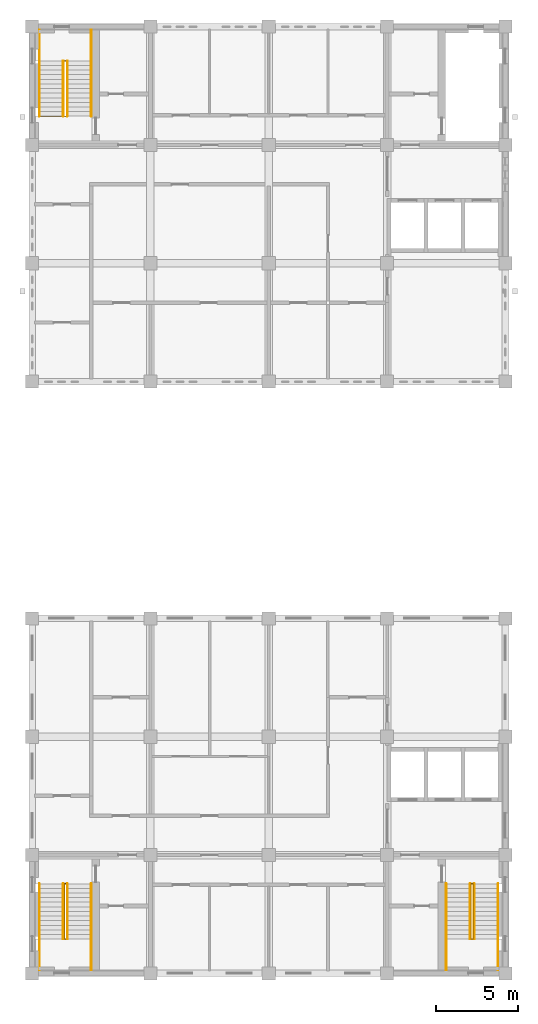
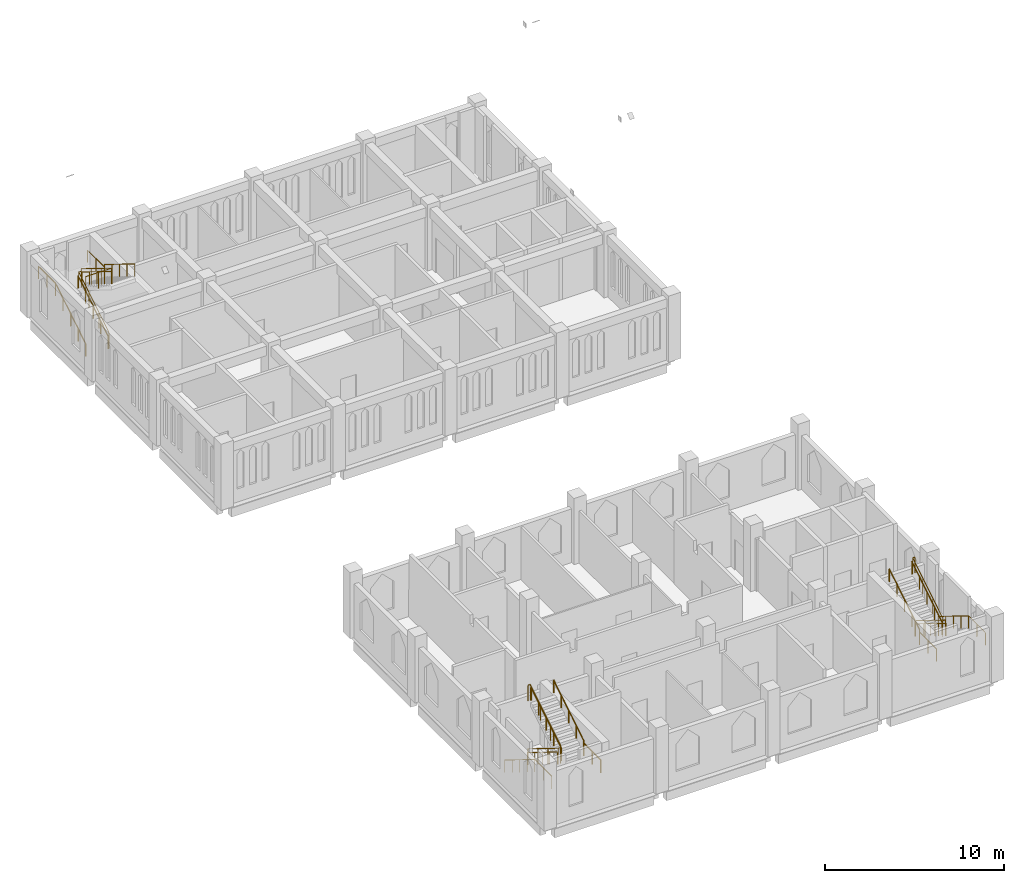
# One storey, part 13 of 13: 15 railings.
"""IFC4 building model written with IfcOpenShell, lengths in metres."""

from ifc_helpers import new_model, si_unit, direction, frame, origin, origin_2d, place, context, subcontext, project, spatial, circle, extrude, material, type_object, element, save


model = new_model("IFC4")

# Units and contexts
model_context = context("Model", 3, precision=1e-05, world=origin(), true_north=direction((0.0, 1.0)))
body_context = subcontext(model_context, "Body", "Model", "MODEL_VIEW")
ifc_project = project(units=[si_unit("LENGTHUNIT", "METRE"), si_unit("AREAUNIT", "SQUARE_METRE"), si_unit("VOLUMEUNIT", "CUBIC_METRE"), si_unit("PLANEANGLEUNIT", "RADIAN"), si_unit("MASSUNIT", "GRAM", prefix="KILO")], contexts=[model_context])

# Site, building, storey
site_placement = place(None, origin())
site = spatial("IfcSite", under=ifc_project, at=site_placement, CompositionType="ELEMENT")
building_placement = place(site_placement, origin())
building = spatial("IfcBuilding", under=site, at=building_placement, Name="Silangan Lancet Faculty of Sciences", CompositionType="ELEMENT")
storey_placement = place(building_placement, frame((0.0, 0.0, 49.800048828125)))
storey = spatial("IfcBuildingStorey", under=building, at=storey_placement, Name="L10", CompositionType="ELEMENT", Elevation=49.800048828125)

# Railings
ifc_material_1 = material(Name="Steel balustrade", Category="steel")
railing_type_1 = type_object("IfcRailingType", Name="STAIR GUARD 1100", PredefinedType="GUARDRAIL", material=ifc_material_1)
railing_1_placement = place(storey_placement, frame((1.949951171875, 52.14990234375, 0.173095703125)))
element("IfcRailing", 1, at=railing_1_placement, inside=storey, type_object=railing_type_1, Name="GUARD-NT-A-L10", PredefinedType="GUARDRAIL", context=body_context, shape_type="SweptSolid", body=[
    extrude(circle(Radius=0.02392578125, at=origin_2d()), frame((0.0, 0.0, 1.076171875), z_axis=(0.0, 0.850623216509, 0.525775754039), x_axis=(-1.0, 0.0, 0.0)), (0.0, 0.0, 1.0), 3.9501953125),
    extrude(circle(Radius=0.02392578125, at=origin_2d()), frame((0.0, 3.360107421875, 3.15283203125), z_axis=(1.0, 0.0, 0.0), x_axis=(0.0, 1.0, 0.0)), (0.0, 0.0, 1.0), 0.150146484375),
    extrude(circle(Radius=0.02392578125, at=origin_2d()), frame((0.150146484375, 3.360107421875, 3.15283203125), z_axis=(0.0, 0.0, 1.0), x_axis=(1.0, 0.0, 0.0)), (0.0, 0.0, 1.0), 0.173095703125),
    extrude(circle(Radius=0.02392578125, at=origin_2d()), frame((0.150146484375, 3.360107421875, 3.326171875), z_axis=(0.0, -0.850623216509, 0.525775754039), x_axis=(1.0, 0.0, 0.0)), (0.0, 0.0, 1.0), 3.9501953125),
    extrude(circle(Radius=0.02392578125, at=origin_2d()), frame((0.150146484375, 0.0, 5.40283203125), z_axis=(-1.0, 0.0, 0.0), x_axis=(0.0, -1.0, 0.0)), (0.0, 0.0, 1.0), 1.650146484375),
    extrude(circle(Radius=0.02099609375, at=origin_2d()), origin(), (0.0, 0.0, 1.0), 1.052001953125),
    extrude(circle(Radius=0.02099609375, at=origin_2d()), frame((0.0, 1.1201171875, 0.6923828125)), (0.0, 0.0, 1.0), 1.052001953125),
    extrude(circle(Radius=0.02099609375, at=origin_2d()), frame((0.0, 2.239990234375, 1.384521484375)), (0.0, 0.0, 1.0), 1.052001953125),
    extrude(circle(Radius=0.02099609375, at=origin_2d()), frame((0.0, 3.360107421875, 2.076904296875)), (0.0, 0.0, 1.0), 1.052001953125),
    extrude(circle(Radius=0.02099609375, at=origin_2d()), frame((0.150146484375, 3.360107421875, 2.076904296875)), (0.0, 0.0, 1.0), 1.052001953125),
    extrude(circle(Radius=0.02099609375, at=origin_2d()), frame((0.150146484375, 3.360107421875, 2.25)), (0.0, 0.0, 1.0), 1.052001953125),
    extrude(circle(Radius=0.02099609375, at=origin_2d()), frame((0.150146484375, 2.239990234375, 2.9423828125)), (0.0, 0.0, 1.0), 1.052001953125),
    extrude(circle(Radius=0.02099609375, at=origin_2d()), frame((0.150146484375, 1.1201171875, 3.634521484375)), (0.0, 0.0, 1.0), 1.052001953125),
    extrude(circle(Radius=0.02099609375, at=origin_2d()), frame((0.150146484375, 0.0, 4.326904296875)), (0.0, 0.0, 1.0), 1.052001953125),
    extrude(circle(Radius=0.02099609375, at=origin_2d()), frame((-0.6748046875, 0.0, 4.326904296875)), (0.0, 0.0, 1.0), 1.052001953125),
    extrude(circle(Radius=0.02099609375, at=origin_2d()), frame((-1.5, 0.0, 4.326904296875)), (0.0, 0.0, 1.0), 1.052001953125),
])
railing_2_placement = place(storey_placement, frame((1.949951171875, 5.449951171875, 0.173095703125)))
element("IfcRailing", 2, at=railing_2_placement, inside=storey, type_object=railing_type_1, Name="GUARD-ST-A-L10", PredefinedType="GUARDRAIL", context=body_context, shape_type="SweptSolid", body=[
    extrude(circle(Radius=0.02392578125, at=origin_2d()), frame((0.0, 0.0, 1.076171875), z_axis=(0.0, -0.850606129759, 0.525803396734), x_axis=(1.0, 0.0, 0.0)), (0.0, 0.0, 1.0), 3.949951171875),
    extrude(circle(Radius=0.02392578125, at=origin_2d()), frame((0.0, -3.35986328125, 3.15283203125), z_axis=(1.0, 0.0, 0.0), x_axis=(0.0, 1.0, 0.0)), (0.0, 0.0, 1.0), 0.150146484375),
    extrude(circle(Radius=0.02392578125, at=origin_2d()), frame((0.150146484375, -3.35986328125, 3.15283203125), z_axis=(0.0, 0.0, 1.0), x_axis=(1.0, 0.0, 0.0)), (0.0, 0.0, 1.0), 0.173095703125),
    extrude(circle(Radius=0.02392578125, at=origin_2d()), frame((0.150146484375, -3.35986328125, 3.326171875), z_axis=(0.0, 0.850606129759, 0.525803396734), x_axis=(-1.0, 0.0, 0.0)), (0.0, 0.0, 1.0), 3.949951171875),
    extrude(circle(Radius=0.02392578125, at=origin_2d()), frame((0.150146484375, 0.0, 5.40283203125), z_axis=(-1.0, 0.0, 0.0), x_axis=(0.0, -1.0, 0.0)), (0.0, 0.0, 1.0), 0.150146484375),
    extrude(circle(Radius=0.02099609375, at=origin_2d()), origin(), (0.0, 0.0, 1.0), 1.052001953125),
    extrude(circle(Radius=0.02099609375, at=origin_2d()), frame((0.0, -1.119873046875, 0.6923828125)), (0.0, 0.0, 1.0), 1.052001953125),
    extrude(circle(Radius=0.02099609375, at=origin_2d()), frame((0.0, -2.239990234375, 1.384521484375)), (0.0, 0.0, 1.0), 1.052001953125),
    extrude(circle(Radius=0.02099609375, at=origin_2d()), frame((0.0, -3.35986328125, 2.076904296875)), (0.0, 0.0, 1.0), 1.052001953125),
    extrude(circle(Radius=0.02099609375, at=origin_2d()), frame((0.150146484375, -3.35986328125, 2.076904296875)), (0.0, 0.0, 1.0), 1.052001953125),
    extrude(circle(Radius=0.02099609375, at=origin_2d()), frame((0.150146484375, -3.35986328125, 2.25)), (0.0, 0.0, 1.0), 1.052001953125),
    extrude(circle(Radius=0.02099609375, at=origin_2d()), frame((0.150146484375, -2.239990234375, 2.9423828125)), (0.0, 0.0, 1.0), 1.052001953125),
    extrude(circle(Radius=0.02099609375, at=origin_2d()), frame((0.150146484375, -1.119873046875, 3.634521484375)), (0.0, 0.0, 1.0), 1.052001953125),
    extrude(circle(Radius=0.02099609375, at=origin_2d()), frame((0.150146484375, 0.0, 4.326904296875)), (0.0, 0.0, 1.0), 1.052001953125),
    extrude(circle(Radius=0.02099609375, at=origin_2d()), frame((0.0, 0.0, 4.326904296875)), (0.0, 0.0, 1.0), 1.052001953125),
])
railing_3_placement = place(storey_placement, frame((26.85009765625, 5.449951171875, 0.173095703125)))
element("IfcRailing", 3, at=railing_3_placement, inside=storey, type_object=railing_type_1, Name="GUARD-ST-B-L10", PredefinedType="GUARDRAIL", context=body_context, shape_type="SweptSolid", body=[
    extrude(circle(Radius=0.02392578125, at=origin_2d()), frame((0.0, 0.0, 1.076171875), z_axis=(0.0, -0.850606129759, 0.525803396734), x_axis=(1.0, 0.0, 0.0)), (0.0, 0.0, 1.0), 3.949951171875),
    extrude(circle(Radius=0.02392578125, at=origin_2d()), frame((0.0, -3.35986328125, 3.15283203125), z_axis=(-1.0, 0.0, 0.0), x_axis=(0.0, -1.0, 0.0)), (0.0, 0.0, 1.0), 0.150146484375),
    extrude(circle(Radius=0.02392578125, at=origin_2d()), frame((-0.150146484375, -3.35986328125, 3.15283203125), z_axis=(0.0, 0.0, 1.0), x_axis=(1.0, 0.0, 0.0)), (0.0, 0.0, 1.0), 0.173095703125),
    extrude(circle(Radius=0.02392578125, at=origin_2d()), frame((-0.150146484375, -3.35986328125, 3.326171875), z_axis=(0.0, 0.850606129759, 0.525803396734), x_axis=(-1.0, 0.0, 0.0)), (0.0, 0.0, 1.0), 3.949951171875),
    extrude(circle(Radius=0.02392578125, at=origin_2d()), frame((-0.150146484375, 0.0, 5.40283203125), z_axis=(1.0, 0.0, 0.0), x_axis=(0.0, 1.0, 0.0)), (0.0, 0.0, 1.0), 0.150146484375),
    extrude(circle(Radius=0.02099609375, at=origin_2d()), origin(), (0.0, 0.0, 1.0), 1.052001953125),
    extrude(circle(Radius=0.02099609375, at=origin_2d()), frame((0.0, -1.119873046875, 0.6923828125)), (0.0, 0.0, 1.0), 1.052001953125),
    extrude(circle(Radius=0.02099609375, at=origin_2d()), frame((0.0, -2.239990234375, 1.384521484375)), (0.0, 0.0, 1.0), 1.052001953125),
    extrude(circle(Radius=0.02099609375, at=origin_2d()), frame((0.0, -3.35986328125, 2.076904296875)), (0.0, 0.0, 1.0), 1.052001953125),
    extrude(circle(Radius=0.02099609375, at=origin_2d()), frame((-0.150146484375, -3.35986328125, 2.076904296875)), (0.0, 0.0, 1.0), 1.052001953125),
    extrude(circle(Radius=0.02099609375, at=origin_2d()), frame((-0.150146484375, -3.35986328125, 2.25)), (0.0, 0.0, 1.0), 1.052001953125),
    extrude(circle(Radius=0.02099609375, at=origin_2d()), frame((-0.150146484375, -2.239990234375, 2.9423828125)), (0.0, 0.0, 1.0), 1.052001953125),
    extrude(circle(Radius=0.02099609375, at=origin_2d()), frame((-0.150146484375, -1.119873046875, 3.634521484375)), (0.0, 0.0, 1.0), 1.052001953125),
    extrude(circle(Radius=0.02099609375, at=origin_2d()), frame((-0.150146484375, 0.0, 4.326904296875)), (0.0, 0.0, 1.0), 1.052001953125),
    extrude(circle(Radius=0.02099609375, at=origin_2d()), frame((0.0, 0.0, 4.326904296875)), (0.0, 0.0, 1.0), 1.052001953125),
])
ifc_material_2 = material(Name="Stainless steel", Category="steel")
railing_type_2 = type_object("IfcRailingType", Name="STAIR HANDRAIL 865", PredefinedType="HANDRAIL", material=ifc_material_2)
railing_4_placement = place(storey_placement, frame((0.449951171875, 52.14990234375, 0.173095703125)))
element("IfcRailing", 4, at=railing_4_placement, inside=storey, type_object=railing_type_2, Name="HANDRAIL-NT-A-L10-O1", PredefinedType="HANDRAIL", context=body_context, shape_type="SweptSolid", body=[
    extrude(circle(Radius=0.02392578125, at=origin_2d()), frame((0.0, 0.0, 0.8408203125), z_axis=(0.0, 0.850723215571, 0.525613936734), x_axis=(-1.0, 0.0, 0.0)), (0.0, 0.0, 1.0), 0.987548828125),
    extrude(circle(Radius=0.02392578125, at=origin_2d()), frame((0.0, 0.840087890625, 1.35986328125), z_axis=(0.0, 0.85061266112, 0.525792830631), x_axis=(-1.0, 0.0, 0.0)), (0.0, 0.0, 1.0), 0.987548828125),
    extrude(circle(Radius=0.02392578125, at=origin_2d()), frame((0.0, 1.68017578125, 1.87939453125), z_axis=(0.0, 0.850544299321, 0.52590340833), x_axis=(-1.0, 0.0, 0.0)), (0.0, 0.0, 1.0), 0.9873046875),
    extrude(circle(Radius=0.02392578125, at=origin_2d()), frame((0.0, 2.52001953125, 2.3984375), z_axis=(0.0, 0.85061266112, 0.525792830631), x_axis=(-1.0, 0.0, 0.0)), (0.0, 0.0, 1.0), 0.987548828125),
    extrude(circle(Radius=0.02392578125, at=origin_2d()), frame((0.0, 3.360107421875, 2.91796875), z_axis=(0.0, 1.0, 0.0), x_axis=(-1.0, 0.0, 0.0)), (0.0, 0.0, 1.0), 1.889892578125),
    extrude(circle(Radius=0.02099609375, at=origin_2d()), origin(), (0.0, 0.0, 1.0), 0.81689453125),
    extrude(circle(Radius=0.02099609375, at=origin_2d()), frame((0.0, 0.840087890625, 0.51904296875)), (0.0, 0.0, 1.0), 0.81689453125),
    extrude(circle(Radius=0.02099609375, at=origin_2d()), frame((0.0, 1.68017578125, 1.038330078125)), (0.0, 0.0, 1.0), 0.81689453125),
    extrude(circle(Radius=0.02099609375, at=origin_2d()), frame((0.0, 2.52001953125, 1.5576171875)), (0.0, 0.0, 1.0), 0.81689453125),
    extrude(circle(Radius=0.02099609375, at=origin_2d()), frame((0.0, 3.360107421875, 2.076904296875)), (0.0, 0.0, 1.0), 0.81689453125),
    extrude(circle(Radius=0.02099609375, at=origin_2d()), frame((0.0, 4.30517578125, 2.076904296875)), (0.0, 0.0, 1.0), 0.81689453125),
    extrude(circle(Radius=0.02099609375, at=origin_2d()), frame((0.0, 5.25, 2.076904296875)), (0.0, 0.0, 1.0), 0.81689453125),
])
railing_5_placement = place(storey_placement, frame((1.89990234375, 52.14990234375, 0.173095703125)))
element("IfcRailing", 5, at=railing_5_placement, inside=storey, type_object=railing_type_2, Name="HANDRAIL-NT-A-L10-I1", PredefinedType="HANDRAIL", context=body_context, shape_type="SweptSolid", body=[
    extrude(circle(Radius=0.02392578125, at=origin_2d()), frame((0.0, 0.0, 0.8408203125), z_axis=(0.0, 0.850723215571, 0.525613936734), x_axis=(-1.0, 0.0, 0.0)), (0.0, 0.0, 1.0), 0.987548828125),
    extrude(circle(Radius=0.02392578125, at=origin_2d()), frame((0.0, 0.840087890625, 1.35986328125), z_axis=(0.0, 0.85061266112, 0.525792830631), x_axis=(-1.0, 0.0, 0.0)), (0.0, 0.0, 1.0), 0.987548828125),
    extrude(circle(Radius=0.02392578125, at=origin_2d()), frame((0.0, 1.68017578125, 1.87939453125), z_axis=(0.0, 0.850544299321, 0.52590340833), x_axis=(-1.0, 0.0, 0.0)), (0.0, 0.0, 1.0), 0.9873046875),
    extrude(circle(Radius=0.02392578125, at=origin_2d()), frame((0.0, 2.52001953125, 2.3984375), z_axis=(0.0, 0.85061266112, 0.525792830631), x_axis=(-1.0, 0.0, 0.0)), (0.0, 0.0, 1.0), 0.987548828125),
    extrude(circle(Radius=0.02099609375, at=origin_2d()), origin(), (0.0, 0.0, 1.0), 0.81689453125),
    extrude(circle(Radius=0.02099609375, at=origin_2d()), frame((0.0, 0.840087890625, 0.51904296875)), (0.0, 0.0, 1.0), 0.81689453125),
    extrude(circle(Radius=0.02099609375, at=origin_2d()), frame((0.0, 1.68017578125, 1.038330078125)), (0.0, 0.0, 1.0), 0.81689453125),
    extrude(circle(Radius=0.02099609375, at=origin_2d()), frame((0.0, 2.52001953125, 1.5576171875)), (0.0, 0.0, 1.0), 0.81689453125),
    extrude(circle(Radius=0.02099609375, at=origin_2d()), frame((0.0, 3.360107421875, 2.076904296875)), (0.0, 0.0, 1.0), 0.81689453125),
])
railing_6_placement = place(storey_placement, frame((3.60009765625, 57.39990234375, 2.25)))
element("IfcRailing", 6, at=railing_6_placement, inside=storey, type_object=railing_type_2, Name="HANDRAIL-NT-A-L10-O2", PredefinedType="HANDRAIL", context=body_context, shape_type="SweptSolid", body=[
    extrude(circle(Radius=0.02392578125, at=origin_2d()), frame((0.0, 0.0, 0.8408203125), z_axis=(0.0, -1.0, 0.0), x_axis=(1.0, 0.0, 0.0)), (0.0, 0.0, 1.0), 1.889892578125),
    extrude(circle(Radius=0.02392578125, at=origin_2d()), frame((0.0, -1.889892578125, 0.8408203125), z_axis=(0.0, 0.0, 1.0), x_axis=(1.0, 0.0, 0.0)), (0.0, 0.0, 1.0), 0.173095703125),
    extrude(circle(Radius=0.02392578125, at=origin_2d()), frame((0.0, -1.889892578125, 1.01416015625), z_axis=(0.0, -0.850723215571, 0.525613936734), x_axis=(1.0, 0.0, 0.0)), (0.0, 0.0, 1.0), 0.987548828125),
    extrude(circle(Radius=0.02392578125, at=origin_2d()), frame((0.0, -2.72998046875, 1.533203125), z_axis=(0.0, -0.850544299321, 0.52590340833), x_axis=(1.0, 0.0, 0.0)), (0.0, 0.0, 1.0), 0.9873046875),
    extrude(circle(Radius=0.02392578125, at=origin_2d()), frame((0.0, -3.56982421875, 2.05224609375), z_axis=(0.0, -0.85061266112, 0.525792830631), x_axis=(1.0, 0.0, 0.0)), (0.0, 0.0, 1.0), 0.987548828125),
    extrude(circle(Radius=0.02392578125, at=origin_2d()), frame((0.0, -4.409912109375, 2.57177734375), z_axis=(0.0, -0.85061266112, 0.525792830631), x_axis=(1.0, 0.0, 0.0)), (0.0, 0.0, 1.0), 0.987548828125),
    extrude(circle(Radius=0.02099609375, at=origin_2d()), origin(), (0.0, 0.0, 1.0), 0.81689453125),
    extrude(circle(Radius=0.02099609375, at=origin_2d()), frame((0.0, -0.94482421875, 0.0)), (0.0, 0.0, 1.0), 0.81689453125),
    extrude(circle(Radius=0.02099609375, at=origin_2d()), frame((0.0, -1.889892578125, 0.0)), (0.0, 0.0, 1.0), 0.81689453125),
    extrude(circle(Radius=0.02099609375, at=origin_2d()), frame((0.0, -1.889892578125, 0.173095703125)), (0.0, 0.0, 1.0), 0.81689453125),
    extrude(circle(Radius=0.02099609375, at=origin_2d()), frame((0.0, -2.72998046875, 0.692138671875)), (0.0, 0.0, 1.0), 0.81689453125),
    extrude(circle(Radius=0.02099609375, at=origin_2d()), frame((0.0, -3.56982421875, 1.21142578125)), (0.0, 0.0, 1.0), 0.81689453125),
    extrude(circle(Radius=0.02099609375, at=origin_2d()), frame((0.0, -4.409912109375, 1.730712890625)), (0.0, 0.0, 1.0), 0.81689453125),
    extrude(circle(Radius=0.02099609375, at=origin_2d()), frame((0.0, -5.25, 2.25)), (0.0, 0.0, 1.0), 0.81689453125),
])
railing_7_placement = place(storey_placement, frame((2.14990234375, 55.510009765625, 2.423095703125)))
element("IfcRailing", 7, at=railing_7_placement, inside=storey, type_object=railing_type_2, Name="HANDRAIL-NT-A-L10-I2", PredefinedType="HANDRAIL", context=body_context, shape_type="SweptSolid", body=[
    extrude(circle(Radius=0.02392578125, at=origin_2d()), frame((0.0, 0.0, 0.8408203125), z_axis=(0.0, -0.850723215571, 0.525613936734), x_axis=(1.0, 0.0, 0.0)), (0.0, 0.0, 1.0), 0.987548828125),
    extrude(circle(Radius=0.02392578125, at=origin_2d()), frame((0.0, -0.840087890625, 1.35986328125), z_axis=(0.0, -0.850544299321, 0.52590340833), x_axis=(1.0, 0.0, 0.0)), (0.0, 0.0, 1.0), 0.9873046875),
    extrude(circle(Radius=0.02392578125, at=origin_2d()), frame((0.0, -1.679931640625, 1.87939453125), z_axis=(0.0, -0.85061266112, 0.525792830631), x_axis=(1.0, 0.0, 0.0)), (0.0, 0.0, 1.0), 0.987548828125),
    extrude(circle(Radius=0.02392578125, at=origin_2d()), frame((0.0, -2.52001953125, 2.3984375), z_axis=(0.0, -0.85061266112, 0.525792830631), x_axis=(1.0, 0.0, 0.0)), (0.0, 0.0, 1.0), 0.987548828125),
    extrude(circle(Radius=0.02099609375, at=origin_2d()), origin(), (0.0, 0.0, 1.0), 0.81689453125),
    extrude(circle(Radius=0.02099609375, at=origin_2d()), frame((0.0, -0.840087890625, 0.51904296875)), (0.0, 0.0, 1.0), 0.81689453125),
    extrude(circle(Radius=0.02099609375, at=origin_2d()), frame((0.0, -1.679931640625, 1.038330078125)), (0.0, 0.0, 1.0), 0.81689453125),
    extrude(circle(Radius=0.02099609375, at=origin_2d()), frame((0.0, -2.52001953125, 1.5576171875)), (0.0, 0.0, 1.0), 0.81689453125),
    extrude(circle(Radius=0.02099609375, at=origin_2d()), frame((0.0, -3.360107421875, 2.076904296875)), (0.0, 0.0, 1.0), 0.81689453125),
])
railing_8_placement = place(storey_placement, frame((0.449951171875, 5.449951171875, 0.173095703125)))
element("IfcRailing", 8, at=railing_8_placement, inside=storey, type_object=railing_type_2, Name="HANDRAIL-ST-A-L10-O1", PredefinedType="HANDRAIL", context=body_context, shape_type="SweptSolid", body=[
    extrude(circle(Radius=0.02392578125, at=origin_2d()), frame((0.0, 0.0, 0.8408203125), z_axis=(0.0, -0.850654891397, 0.525724505556), x_axis=(1.0, 0.0, 0.0)), (0.0, 0.0, 1.0), 0.9873046875),
    extrude(circle(Radius=0.02392578125, at=origin_2d()), frame((0.0, -0.83984375, 1.35986328125), z_axis=(0.0, -0.85061266112, 0.525792830631), x_axis=(1.0, 0.0, 0.0)), (0.0, 0.0, 1.0), 0.987548828125),
    extrude(circle(Radius=0.02392578125, at=origin_2d()), frame((0.0, -1.679931640625, 1.87939453125), z_axis=(0.0, -0.85061266112, 0.525792830631), x_axis=(1.0, 0.0, 0.0)), (0.0, 0.0, 1.0), 0.987548828125),
    extrude(circle(Radius=0.02392578125, at=origin_2d()), frame((0.0, -2.52001953125, 2.3984375), z_axis=(0.0, -0.850544299321, 0.52590340833), x_axis=(1.0, 0.0, 0.0)), (0.0, 0.0, 1.0), 0.9873046875),
    extrude(circle(Radius=0.02392578125, at=origin_2d()), frame((0.0, -3.35986328125, 2.91796875), z_axis=(0.0, -1.0, 0.0), x_axis=(1.0, 0.0, 0.0)), (0.0, 0.0, 1.0), 1.89013671875),
    extrude(circle(Radius=0.02099609375, at=origin_2d()), origin(), (0.0, 0.0, 1.0), 0.81689453125),
    extrude(circle(Radius=0.02099609375, at=origin_2d()), frame((0.0, -0.83984375, 0.51904296875)), (0.0, 0.0, 1.0), 0.81689453125),
    extrude(circle(Radius=0.02099609375, at=origin_2d()), frame((0.0, -1.679931640625, 1.038330078125)), (0.0, 0.0, 1.0), 0.81689453125),
    extrude(circle(Radius=0.02099609375, at=origin_2d()), frame((0.0, -2.52001953125, 1.5576171875)), (0.0, 0.0, 1.0), 0.81689453125),
    extrude(circle(Radius=0.02099609375, at=origin_2d()), frame((0.0, -3.35986328125, 2.076904296875)), (0.0, 0.0, 1.0), 0.81689453125),
    extrude(circle(Radius=0.02099609375, at=origin_2d()), frame((0.0, -4.304931640625, 2.076904296875)), (0.0, 0.0, 1.0), 0.81689453125),
    extrude(circle(Radius=0.02099609375, at=origin_2d()), frame((0.0, -5.25, 2.076904296875)), (0.0, 0.0, 1.0), 0.81689453125),
])
railing_9_placement = place(storey_placement, frame((1.89990234375, 5.449951171875, 0.173095703125)))
element("IfcRailing", 9, at=railing_9_placement, inside=storey, type_object=railing_type_2, Name="HANDRAIL-ST-A-L10-I1", PredefinedType="HANDRAIL", context=body_context, shape_type="SweptSolid", body=[
    extrude(circle(Radius=0.02392578125, at=origin_2d()), frame((0.0, 0.0, 0.8408203125), z_axis=(0.0, -0.850654891397, 0.525724505556), x_axis=(1.0, 0.0, 0.0)), (0.0, 0.0, 1.0), 0.9873046875),
    extrude(circle(Radius=0.02392578125, at=origin_2d()), frame((0.0, -0.83984375, 1.35986328125), z_axis=(0.0, -0.85061266112, 0.525792830631), x_axis=(1.0, 0.0, 0.0)), (0.0, 0.0, 1.0), 0.987548828125),
    extrude(circle(Radius=0.02392578125, at=origin_2d()), frame((0.0, -1.679931640625, 1.87939453125), z_axis=(0.0, -0.85061266112, 0.525792830631), x_axis=(1.0, 0.0, 0.0)), (0.0, 0.0, 1.0), 0.987548828125),
    extrude(circle(Radius=0.02392578125, at=origin_2d()), frame((0.0, -2.52001953125, 2.3984375), z_axis=(0.0, -0.850544299321, 0.52590340833), x_axis=(1.0, 0.0, 0.0)), (0.0, 0.0, 1.0), 0.9873046875),
    extrude(circle(Radius=0.02099609375, at=origin_2d()), origin(), (0.0, 0.0, 1.0), 0.81689453125),
    extrude(circle(Radius=0.02099609375, at=origin_2d()), frame((0.0, -0.83984375, 0.51904296875)), (0.0, 0.0, 1.0), 0.81689453125),
    extrude(circle(Radius=0.02099609375, at=origin_2d()), frame((0.0, -1.679931640625, 1.038330078125)), (0.0, 0.0, 1.0), 0.81689453125),
    extrude(circle(Radius=0.02099609375, at=origin_2d()), frame((0.0, -2.52001953125, 1.5576171875)), (0.0, 0.0, 1.0), 0.81689453125),
    extrude(circle(Radius=0.02099609375, at=origin_2d()), frame((0.0, -3.35986328125, 2.076904296875)), (0.0, 0.0, 1.0), 0.81689453125),
])
railing_10_placement = place(storey_placement, frame((3.60009765625, 0.199951171875, 2.25)))
element("IfcRailing", 10, at=railing_10_placement, inside=storey, type_object=railing_type_2, Name="HANDRAIL-ST-A-L10-O2", PredefinedType="HANDRAIL", context=body_context, shape_type="SweptSolid", body=[
    extrude(circle(Radius=0.02392578125, at=origin_2d()), frame((0.0, 0.0, 0.8408203125), z_axis=(0.0, 1.0, 0.0), x_axis=(-1.0, 0.0, 0.0)), (0.0, 0.0, 1.0), 1.89013671875),
    extrude(circle(Radius=0.02392578125, at=origin_2d()), frame((0.0, 1.89013671875, 0.8408203125), z_axis=(0.0, 0.0, 1.0), x_axis=(1.0, 0.0, 0.0)), (0.0, 0.0, 1.0), 0.173095703125),
    extrude(circle(Radius=0.02392578125, at=origin_2d()), frame((0.0, 1.89013671875, 1.01416015625), z_axis=(0.0, 0.850654891397, 0.525724505556), x_axis=(-1.0, 0.0, 0.0)), (0.0, 0.0, 1.0), 0.9873046875),
    extrude(circle(Radius=0.02392578125, at=origin_2d()), frame((0.0, 2.72998046875, 1.533203125), z_axis=(0.0, 0.85061266112, 0.525792830631), x_axis=(-1.0, 0.0, 0.0)), (0.0, 0.0, 1.0), 0.987548828125),
    extrude(circle(Radius=0.02392578125, at=origin_2d()), frame((0.0, 3.570068359375, 2.05224609375), z_axis=(0.0, 0.85061266112, 0.525792830631), x_axis=(-1.0, 0.0, 0.0)), (0.0, 0.0, 1.0), 0.987548828125),
    extrude(circle(Radius=0.02392578125, at=origin_2d()), frame((0.0, 4.41015625, 2.57177734375), z_axis=(0.0, 0.850544299321, 0.52590340833), x_axis=(-1.0, 0.0, 0.0)), (0.0, 0.0, 1.0), 0.9873046875),
    extrude(circle(Radius=0.02099609375, at=origin_2d()), origin(), (0.0, 0.0, 1.0), 0.81689453125),
    extrude(circle(Radius=0.02099609375, at=origin_2d()), frame((0.0, 0.945068359375, 0.0)), (0.0, 0.0, 1.0), 0.81689453125),
    extrude(circle(Radius=0.02099609375, at=origin_2d()), frame((0.0, 1.89013671875, 0.0)), (0.0, 0.0, 1.0), 0.81689453125),
    extrude(circle(Radius=0.02099609375, at=origin_2d()), frame((0.0, 1.89013671875, 0.173095703125)), (0.0, 0.0, 1.0), 0.81689453125),
    extrude(circle(Radius=0.02099609375, at=origin_2d()), frame((0.0, 2.72998046875, 0.692138671875)), (0.0, 0.0, 1.0), 0.81689453125),
    extrude(circle(Radius=0.02099609375, at=origin_2d()), frame((0.0, 3.570068359375, 1.21142578125)), (0.0, 0.0, 1.0), 0.81689453125),
    extrude(circle(Radius=0.02099609375, at=origin_2d()), frame((0.0, 4.41015625, 1.730712890625)), (0.0, 0.0, 1.0), 0.81689453125),
    extrude(circle(Radius=0.02099609375, at=origin_2d()), frame((0.0, 5.25, 2.25)), (0.0, 0.0, 1.0), 0.81689453125),
])
railing_11_placement = place(storey_placement, frame((2.14990234375, 2.090087890625, 2.423095703125)))
element("IfcRailing", 11, at=railing_11_placement, inside=storey, type_object=railing_type_2, Name="HANDRAIL-ST-A-L10-I2", PredefinedType="HANDRAIL", context=body_context, shape_type="SweptSolid", body=[
    extrude(circle(Radius=0.02392578125, at=origin_2d()), frame((0.0, 0.0, 0.8408203125), z_axis=(0.0, 0.850654891397, 0.525724505556), x_axis=(-1.0, 0.0, 0.0)), (0.0, 0.0, 1.0), 0.9873046875),
    extrude(circle(Radius=0.02392578125, at=origin_2d()), frame((0.0, 0.83984375, 1.35986328125), z_axis=(0.0, 0.85061266112, 0.525792830631), x_axis=(-1.0, 0.0, 0.0)), (0.0, 0.0, 1.0), 0.987548828125),
    extrude(circle(Radius=0.02392578125, at=origin_2d()), frame((0.0, 1.679931640625, 1.87939453125), z_axis=(0.0, 0.85061266112, 0.525792830631), x_axis=(-1.0, 0.0, 0.0)), (0.0, 0.0, 1.0), 0.987548828125),
    extrude(circle(Radius=0.02392578125, at=origin_2d()), frame((0.0, 2.52001953125, 2.3984375), z_axis=(0.0, 0.850544299321, 0.52590340833), x_axis=(-1.0, 0.0, 0.0)), (0.0, 0.0, 1.0), 0.9873046875),
    extrude(circle(Radius=0.02099609375, at=origin_2d()), origin(), (0.0, 0.0, 1.0), 0.81689453125),
    extrude(circle(Radius=0.02099609375, at=origin_2d()), frame((0.0, 0.83984375, 0.51904296875)), (0.0, 0.0, 1.0), 0.81689453125),
    extrude(circle(Radius=0.02099609375, at=origin_2d()), frame((0.0, 1.679931640625, 1.038330078125)), (0.0, 0.0, 1.0), 0.81689453125),
    extrude(circle(Radius=0.02099609375, at=origin_2d()), frame((0.0, 2.52001953125, 1.5576171875)), (0.0, 0.0, 1.0), 0.81689453125),
    extrude(circle(Radius=0.02099609375, at=origin_2d()), frame((0.0, 3.35986328125, 2.076904296875)), (0.0, 0.0, 1.0), 0.81689453125),
])
railing_12_placement = place(storey_placement, frame((28.35009765625, 5.449951171875, 0.173095703125)))
element("IfcRailing", 12, at=railing_12_placement, inside=storey, type_object=railing_type_2, Name="HANDRAIL-ST-B-L10-O1", PredefinedType="HANDRAIL", context=body_context, shape_type="SweptSolid", body=[
    extrude(circle(Radius=0.02392578125, at=origin_2d()), frame((0.0, 0.0, 0.8408203125), z_axis=(0.0, -0.850654891397, 0.525724505556), x_axis=(1.0, 0.0, 0.0)), (0.0, 0.0, 1.0), 0.9873046875),
    extrude(circle(Radius=0.02392578125, at=origin_2d()), frame((0.0, -0.83984375, 1.35986328125), z_axis=(0.0, -0.85061266112, 0.525792830631), x_axis=(1.0, 0.0, 0.0)), (0.0, 0.0, 1.0), 0.987548828125),
    extrude(circle(Radius=0.02392578125, at=origin_2d()), frame((0.0, -1.679931640625, 1.87939453125), z_axis=(0.0, -0.85061266112, 0.525792830631), x_axis=(1.0, 0.0, 0.0)), (0.0, 0.0, 1.0), 0.987548828125),
    extrude(circle(Radius=0.02392578125, at=origin_2d()), frame((0.0, -2.52001953125, 2.3984375), z_axis=(0.0, -0.850544299321, 0.52590340833), x_axis=(1.0, 0.0, 0.0)), (0.0, 0.0, 1.0), 0.9873046875),
    extrude(circle(Radius=0.02392578125, at=origin_2d()), frame((0.0, -3.35986328125, 2.91796875), z_axis=(0.0, -1.0, 0.0), x_axis=(1.0, 0.0, 0.0)), (0.0, 0.0, 1.0), 1.89013671875),
    extrude(circle(Radius=0.02099609375, at=origin_2d()), origin(), (0.0, 0.0, 1.0), 0.81689453125),
    extrude(circle(Radius=0.02099609375, at=origin_2d()), frame((0.0, -0.83984375, 0.51904296875)), (0.0, 0.0, 1.0), 0.81689453125),
    extrude(circle(Radius=0.02099609375, at=origin_2d()), frame((0.0, -1.679931640625, 1.038330078125)), (0.0, 0.0, 1.0), 0.81689453125),
    extrude(circle(Radius=0.02099609375, at=origin_2d()), frame((0.0, -2.52001953125, 1.5576171875)), (0.0, 0.0, 1.0), 0.81689453125),
    extrude(circle(Radius=0.02099609375, at=origin_2d()), frame((0.0, -3.35986328125, 2.076904296875)), (0.0, 0.0, 1.0), 0.81689453125),
    extrude(circle(Radius=0.02099609375, at=origin_2d()), frame((0.0, -4.304931640625, 2.076904296875)), (0.0, 0.0, 1.0), 0.81689453125),
    extrude(circle(Radius=0.02099609375, at=origin_2d()), frame((0.0, -5.25, 2.076904296875)), (0.0, 0.0, 1.0), 0.81689453125),
])
railing_13_placement = place(storey_placement, frame((26.89990234375, 5.449951171875, 0.173095703125)))
element("IfcRailing", 13, at=railing_13_placement, inside=storey, type_object=railing_type_2, Name="HANDRAIL-ST-B-L10-I1", PredefinedType="HANDRAIL", context=body_context, shape_type="SweptSolid", body=[
    extrude(circle(Radius=0.02392578125, at=origin_2d()), frame((0.0, 0.0, 0.8408203125), z_axis=(0.0, -0.850654891397, 0.525724505556), x_axis=(1.0, 0.0, 0.0)), (0.0, 0.0, 1.0), 0.9873046875),
    extrude(circle(Radius=0.02392578125, at=origin_2d()), frame((0.0, -0.83984375, 1.35986328125), z_axis=(0.0, -0.85061266112, 0.525792830631), x_axis=(1.0, 0.0, 0.0)), (0.0, 0.0, 1.0), 0.987548828125),
    extrude(circle(Radius=0.02392578125, at=origin_2d()), frame((0.0, -1.679931640625, 1.87939453125), z_axis=(0.0, -0.85061266112, 0.525792830631), x_axis=(1.0, 0.0, 0.0)), (0.0, 0.0, 1.0), 0.987548828125),
    extrude(circle(Radius=0.02392578125, at=origin_2d()), frame((0.0, -2.52001953125, 2.3984375), z_axis=(0.0, -0.850544299321, 0.52590340833), x_axis=(1.0, 0.0, 0.0)), (0.0, 0.0, 1.0), 0.9873046875),
    extrude(circle(Radius=0.02099609375, at=origin_2d()), origin(), (0.0, 0.0, 1.0), 0.81689453125),
    extrude(circle(Radius=0.02099609375, at=origin_2d()), frame((0.0, -0.83984375, 0.51904296875)), (0.0, 0.0, 1.0), 0.81689453125),
    extrude(circle(Radius=0.02099609375, at=origin_2d()), frame((0.0, -1.679931640625, 1.038330078125)), (0.0, 0.0, 1.0), 0.81689453125),
    extrude(circle(Radius=0.02099609375, at=origin_2d()), frame((0.0, -2.52001953125, 1.5576171875)), (0.0, 0.0, 1.0), 0.81689453125),
    extrude(circle(Radius=0.02099609375, at=origin_2d()), frame((0.0, -3.35986328125, 2.076904296875)), (0.0, 0.0, 1.0), 0.81689453125),
])
railing_14_placement = place(storey_placement, frame((25.199951171875, 0.199951171875, 2.25)))
element("IfcRailing", 14, at=railing_14_placement, inside=storey, type_object=railing_type_2, Name="HANDRAIL-ST-B-L10-O2", PredefinedType="HANDRAIL", context=body_context, shape_type="SweptSolid", body=[
    extrude(circle(Radius=0.02392578125, at=origin_2d()), frame((0.0, 0.0, 0.8408203125), z_axis=(0.0, 1.0, 0.0), x_axis=(-1.0, 0.0, 0.0)), (0.0, 0.0, 1.0), 1.89013671875),
    extrude(circle(Radius=0.02392578125, at=origin_2d()), frame((0.0, 1.89013671875, 0.8408203125), z_axis=(0.0, 0.0, 1.0), x_axis=(1.0, 0.0, 0.0)), (0.0, 0.0, 1.0), 0.173095703125),
    extrude(circle(Radius=0.02392578125, at=origin_2d()), frame((0.0, 1.89013671875, 1.01416015625), z_axis=(0.0, 0.850654891397, 0.525724505556), x_axis=(-1.0, 0.0, 0.0)), (0.0, 0.0, 1.0), 0.9873046875),
    extrude(circle(Radius=0.02392578125, at=origin_2d()), frame((0.0, 2.72998046875, 1.533203125), z_axis=(0.0, 0.85061266112, 0.525792830631), x_axis=(-1.0, 0.0, 0.0)), (0.0, 0.0, 1.0), 0.987548828125),
    extrude(circle(Radius=0.02392578125, at=origin_2d()), frame((0.0, 3.570068359375, 2.05224609375), z_axis=(0.0, 0.85061266112, 0.525792830631), x_axis=(-1.0, 0.0, 0.0)), (0.0, 0.0, 1.0), 0.987548828125),
    extrude(circle(Radius=0.02392578125, at=origin_2d()), frame((0.0, 4.41015625, 2.57177734375), z_axis=(0.0, 0.850544299321, 0.52590340833), x_axis=(-1.0, 0.0, 0.0)), (0.0, 0.0, 1.0), 0.9873046875),
    extrude(circle(Radius=0.02099609375, at=origin_2d()), origin(), (0.0, 0.0, 1.0), 0.81689453125),
    extrude(circle(Radius=0.02099609375, at=origin_2d()), frame((0.0, 0.945068359375, 0.0)), (0.0, 0.0, 1.0), 0.81689453125),
    extrude(circle(Radius=0.02099609375, at=origin_2d()), frame((0.0, 1.89013671875, 0.0)), (0.0, 0.0, 1.0), 0.81689453125),
    extrude(circle(Radius=0.02099609375, at=origin_2d()), frame((0.0, 1.89013671875, 0.173095703125)), (0.0, 0.0, 1.0), 0.81689453125),
    extrude(circle(Radius=0.02099609375, at=origin_2d()), frame((0.0, 2.72998046875, 0.692138671875)), (0.0, 0.0, 1.0), 0.81689453125),
    extrude(circle(Radius=0.02099609375, at=origin_2d()), frame((0.0, 3.570068359375, 1.21142578125)), (0.0, 0.0, 1.0), 0.81689453125),
    extrude(circle(Radius=0.02099609375, at=origin_2d()), frame((0.0, 4.41015625, 1.730712890625)), (0.0, 0.0, 1.0), 0.81689453125),
    extrude(circle(Radius=0.02099609375, at=origin_2d()), frame((0.0, 5.25, 2.25)), (0.0, 0.0, 1.0), 0.81689453125),
])
railing_15_placement = place(storey_placement, frame((26.64990234375, 2.090087890625, 2.423095703125)))
element("IfcRailing", 15, at=railing_15_placement, inside=storey, type_object=railing_type_2, Name="HANDRAIL-ST-B-L10-I2", PredefinedType="HANDRAIL", context=body_context, shape_type="SweptSolid", body=[
    extrude(circle(Radius=0.02392578125, at=origin_2d()), frame((0.0, 0.0, 0.8408203125), z_axis=(0.0, 0.850654891397, 0.525724505556), x_axis=(-1.0, 0.0, 0.0)), (0.0, 0.0, 1.0), 0.9873046875),
    extrude(circle(Radius=0.02392578125, at=origin_2d()), frame((0.0, 0.83984375, 1.35986328125), z_axis=(0.0, 0.85061266112, 0.525792830631), x_axis=(-1.0, 0.0, 0.0)), (0.0, 0.0, 1.0), 0.987548828125),
    extrude(circle(Radius=0.02392578125, at=origin_2d()), frame((0.0, 1.679931640625, 1.87939453125), z_axis=(0.0, 0.85061266112, 0.525792830631), x_axis=(-1.0, 0.0, 0.0)), (0.0, 0.0, 1.0), 0.987548828125),
    extrude(circle(Radius=0.02392578125, at=origin_2d()), frame((0.0, 2.52001953125, 2.3984375), z_axis=(0.0, 0.850544299321, 0.52590340833), x_axis=(-1.0, 0.0, 0.0)), (0.0, 0.0, 1.0), 0.9873046875),
    extrude(circle(Radius=0.02099609375, at=origin_2d()), origin(), (0.0, 0.0, 1.0), 0.81689453125),
    extrude(circle(Radius=0.02099609375, at=origin_2d()), frame((0.0, 0.83984375, 0.51904296875)), (0.0, 0.0, 1.0), 0.81689453125),
    extrude(circle(Radius=0.02099609375, at=origin_2d()), frame((0.0, 1.679931640625, 1.038330078125)), (0.0, 0.0, 1.0), 0.81689453125),
    extrude(circle(Radius=0.02099609375, at=origin_2d()), frame((0.0, 2.52001953125, 1.5576171875)), (0.0, 0.0, 1.0), 0.81689453125),
    extrude(circle(Radius=0.02099609375, at=origin_2d()), frame((0.0, 3.35986328125, 2.076904296875)), (0.0, 0.0, 1.0), 0.81689453125),
])

save(model, "model.ifc")
